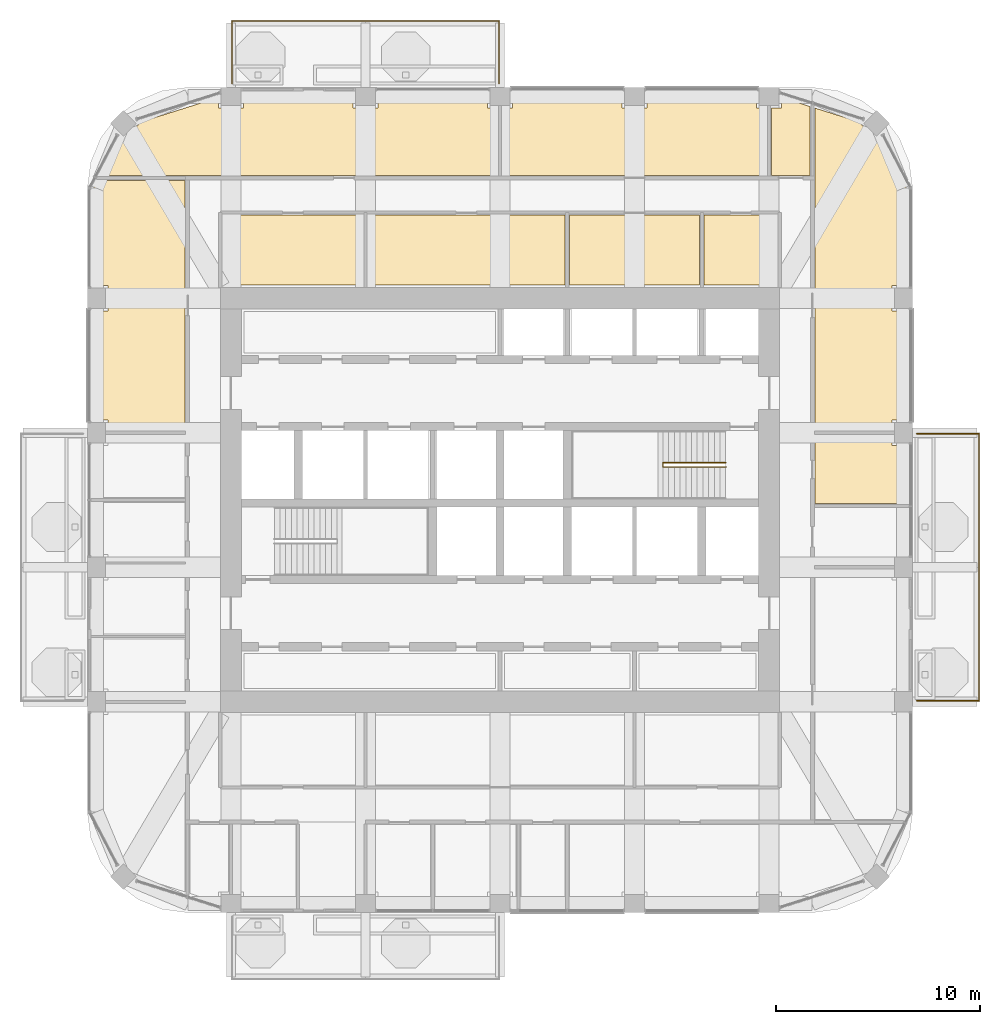
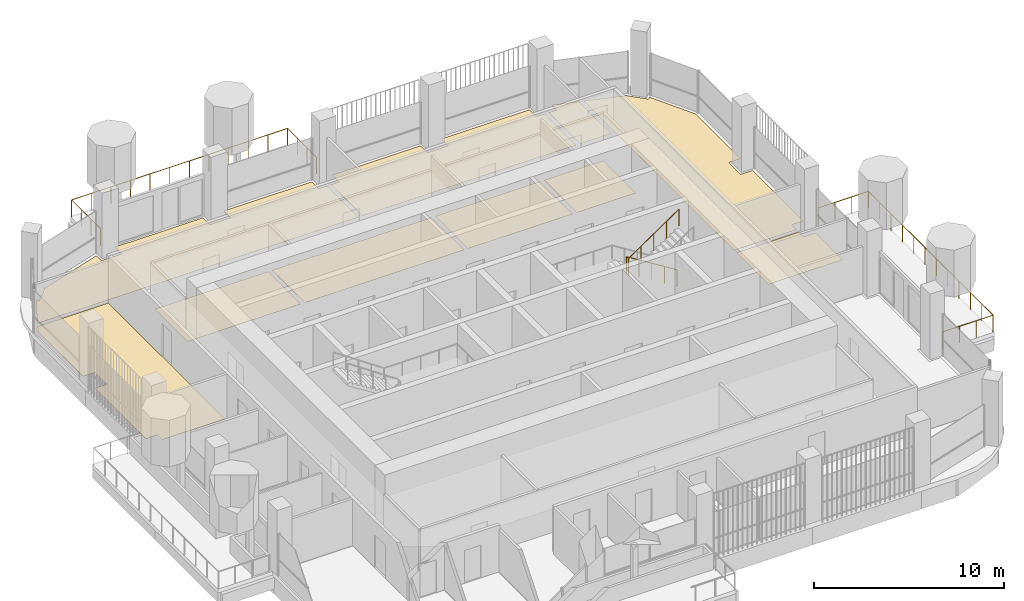
# One storey, part 18 of 19: 10 coverings, 3 railings.
"""IFC4 building model written with IfcOpenShell, lengths in metres."""

from ifc_helpers import new_model, si_unit, direction, frame, origin, place, context, subcontext, project, spatial, polyline, outline, extrude, material, layer, layer_set, type_object, element, save


model = new_model("IFC4")

# Units and contexts
model_context = context("Model", 3, precision=1e-05, world=origin(), true_north=direction((0.0, 1.0)))
body_context = subcontext(model_context, "Body", "Model", "MODEL_VIEW")
ifc_project = project(units=[si_unit("LENGTHUNIT", "METRE"), si_unit("AREAUNIT", "SQUARE_METRE"), si_unit("VOLUMEUNIT", "CUBIC_METRE"), si_unit("PLANEANGLEUNIT", "RADIAN"), si_unit("MASSUNIT", "GRAM", prefix="KILO")], contexts=[model_context])

# Site, building, storey
site_placement = place(None, origin())
site = spatial("IfcSite", under=ifc_project, at=site_placement, CompositionType="ELEMENT")
building_placement = place(site_placement, origin())
building = spatial("IfcBuilding", under=site, at=building_placement, Name="Cobogo Forest Laboratory Tower", CompositionType="ELEMENT")
storey_placement = place(building_placement, frame((0.0, 0.0, 262.800048828125)))
storey = spatial("IfcBuildingStorey", under=building, at=storey_placement, Name="L60", CompositionType="ELEMENT", Elevation=262.800048828125)

# Railings
ifc_material_1 = material(Name="Laminated glass balustrade", Category="glass")
railing_type_1 = type_object("IfcRailingType", Name="BG1 glass balustrade 1100", PredefinedType="GUARDRAIL", material=ifc_material_1)
railing_1_placement = place(storey_placement, frame((46.85009765625, 13.25, 0.0)))
element("IfcRailing", 1, at=railing_1_placement, inside=storey, type_object=railing_type_1, Name="Balcony balustrade BAL-E1 L60", PredefinedType="GUARDRAIL", context=body_context, shape_type="SweptSolid", body=[
    extrude(outline(polyline([(0.022216796875, 0.00927734375), (0.00927734375, 0.022216796875), (-0.00927734375, 0.022216796875), (-0.022216796875, 0.00927734375), (-0.022216796875, -0.00927734375), (-0.00927734375, -0.022216796875), (0.00927734375, -0.022216796875), (0.022216796875, -0.00927734375), (0.022216796875, 0.00927734375)])), frame((0.0, 0.0, 1.077880859375), z_axis=(1.0, 0.0, 0.0), x_axis=(0.0, 1.0, 0.0)), (0.0, 0.0, 1.0), 3.0498046875),
    extrude(outline(polyline([(0.022216796875, 0.00927734375), (0.00927734375, 0.022216796875), (-0.00927734375, 0.022216796875), (-0.022216796875, 0.00927734375), (-0.022216796875, -0.00927734375), (-0.00927734375, -0.022216796875), (0.00927734375, -0.022216796875), (0.022216796875, -0.00927734375), (0.022216796875, 0.00927734375)])), frame((3.0498046875, 0.0, 1.077880859375), z_axis=(0.0, 1.0, 0.0), x_axis=(-1.0, 0.0, 0.0)), (0.0, 0.0, 1.0), 13.10009765625),
    extrude(outline(polyline([(0.022216796875, 0.00927734375), (0.00927734375, 0.022216796875), (-0.00927734375, 0.022216796875), (-0.022216796875, 0.00927734375), (-0.022216796875, -0.00927734375), (-0.00927734375, -0.022216796875), (0.00927734375, -0.022216796875), (0.022216796875, -0.00927734375), (0.022216796875, 0.00927734375)])), frame((3.0498046875, 13.10009765625, 1.077880859375), z_axis=(-1.0, 0.0, 0.0), x_axis=(0.0, -1.0, 0.0)), (0.0, 0.0, 1.0), 3.0498046875),
    extrude(outline(polyline([(0.019287109375, 0.008056640625), (0.008056640625, 0.019287109375), (-0.008056640625, 0.019287109375), (-0.019287109375, 0.008056640625), (-0.019287109375, -0.008056640625), (-0.008056640625, -0.019287109375), (0.008056640625, -0.019287109375), (0.019287109375, -0.008056640625), (0.019287109375, 0.008056640625)])), origin(), (0.0, 0.0, 1.0), 1.077880859375),
    extrude(outline(polyline([(0.019287109375, 0.008056640625), (0.008056640625, 0.019287109375), (-0.008056640625, 0.019287109375), (-0.019287109375, 0.008056640625), (-0.019287109375, -0.008056640625), (-0.008056640625, -0.019287109375), (0.008056640625, -0.019287109375), (0.019287109375, -0.008056640625), (0.019287109375, 0.008056640625)])), frame((1.0166015625, 0.0, 0.0)), (0.0, 0.0, 1.0), 1.077880859375),
    extrude(outline(polyline([(0.019287109375, 0.008056640625), (0.008056640625, 0.019287109375), (-0.008056640625, 0.019287109375), (-0.019287109375, 0.008056640625), (-0.019287109375, -0.008056640625), (-0.008056640625, -0.019287109375), (0.008056640625, -0.019287109375), (0.019287109375, -0.008056640625), (0.019287109375, 0.008056640625)])), frame((2.033203125, 0.0, 0.0)), (0.0, 0.0, 1.0), 1.077880859375),
    extrude(outline(polyline([(0.019287109375, 0.008056640625), (0.008056640625, 0.019287109375), (-0.008056640625, 0.019287109375), (-0.019287109375, 0.008056640625), (-0.019287109375, -0.008056640625), (-0.008056640625, -0.019287109375), (0.008056640625, -0.019287109375), (0.019287109375, -0.008056640625), (0.019287109375, 0.008056640625)])), frame((3.0498046875, 0.0, 0.0)), (0.0, 0.0, 1.0), 1.077880859375),
    extrude(outline(polyline([(0.019287109375, 0.008056640625), (0.008056640625, 0.019287109375), (-0.008056640625, 0.019287109375), (-0.019287109375, 0.008056640625), (-0.019287109375, -0.008056640625), (-0.008056640625, -0.019287109375), (0.008056640625, -0.019287109375), (0.019287109375, -0.008056640625), (0.019287109375, 0.008056640625)])), frame((3.0498046875, 1.19091796875, 0.0)), (0.0, 0.0, 1.0), 1.077880859375),
    extrude(outline(polyline([(0.019287109375, 0.008056640625), (0.008056640625, 0.019287109375), (-0.008056640625, 0.019287109375), (-0.019287109375, 0.008056640625), (-0.019287109375, -0.008056640625), (-0.008056640625, -0.019287109375), (0.008056640625, -0.019287109375), (0.019287109375, -0.008056640625), (0.019287109375, 0.008056640625)])), frame((3.0498046875, 2.3818359375, 0.0)), (0.0, 0.0, 1.0), 1.077880859375),
    extrude(outline(polyline([(0.019287109375, 0.008056640625), (0.008056640625, 0.019287109375), (-0.008056640625, 0.019287109375), (-0.019287109375, 0.008056640625), (-0.019287109375, -0.008056640625), (-0.008056640625, -0.019287109375), (0.008056640625, -0.019287109375), (0.019287109375, -0.008056640625), (0.019287109375, 0.008056640625)])), frame((3.0498046875, 3.57275390625, 0.0)), (0.0, 0.0, 1.0), 1.077880859375),
    extrude(outline(polyline([(0.019287109375, 0.008056640625), (0.008056640625, 0.019287109375), (-0.008056640625, 0.019287109375), (-0.019287109375, 0.008056640625), (-0.019287109375, -0.008056640625), (-0.008056640625, -0.019287109375), (0.008056640625, -0.019287109375), (0.019287109375, -0.008056640625), (0.019287109375, 0.008056640625)])), frame((3.0498046875, 4.763671875, 0.0)), (0.0, 0.0, 1.0), 1.077880859375),
    extrude(outline(polyline([(0.019287109375, 0.008056640625), (0.008056640625, 0.019287109375), (-0.008056640625, 0.019287109375), (-0.019287109375, 0.008056640625), (-0.019287109375, -0.008056640625), (-0.008056640625, -0.019287109375), (0.008056640625, -0.019287109375), (0.019287109375, -0.008056640625), (0.019287109375, 0.008056640625)])), frame((3.0498046875, 5.95458984375, 0.0)), (0.0, 0.0, 1.0), 1.077880859375),
    extrude(outline(polyline([(0.019287109375, 0.008056640625), (0.008056640625, 0.019287109375), (-0.008056640625, 0.019287109375), (-0.019287109375, 0.008056640625), (-0.019287109375, -0.008056640625), (-0.008056640625, -0.019287109375), (0.008056640625, -0.019287109375), (0.019287109375, -0.008056640625), (0.019287109375, 0.008056640625)])), frame((3.0498046875, 7.1455078125, 0.0)), (0.0, 0.0, 1.0), 1.077880859375),
    extrude(outline(polyline([(0.019287109375, 0.008056640625), (0.008056640625, 0.019287109375), (-0.008056640625, 0.019287109375), (-0.019287109375, 0.008056640625), (-0.019287109375, -0.008056640625), (-0.008056640625, -0.019287109375), (0.008056640625, -0.019287109375), (0.019287109375, -0.008056640625), (0.019287109375, 0.008056640625)])), frame((3.0498046875, 8.33642578125, 0.0)), (0.0, 0.0, 1.0), 1.077880859375),
    extrude(outline(polyline([(0.019287109375, 0.008056640625), (0.008056640625, 0.019287109375), (-0.008056640625, 0.019287109375), (-0.019287109375, 0.008056640625), (-0.019287109375, -0.008056640625), (-0.008056640625, -0.019287109375), (0.008056640625, -0.019287109375), (0.019287109375, -0.008056640625), (0.019287109375, 0.008056640625)])), frame((3.0498046875, 9.52734375, 0.0)), (0.0, 0.0, 1.0), 1.077880859375),
    extrude(outline(polyline([(0.019287109375, 0.008056640625), (0.008056640625, 0.019287109375), (-0.008056640625, 0.019287109375), (-0.019287109375, 0.008056640625), (-0.019287109375, -0.008056640625), (-0.008056640625, -0.019287109375), (0.008056640625, -0.019287109375), (0.019287109375, -0.008056640625), (0.019287109375, 0.008056640625)])), frame((3.0498046875, 10.71826171875, 0.0)), (0.0, 0.0, 1.0), 1.077880859375),
    extrude(outline(polyline([(0.019287109375, 0.008056640625), (0.008056640625, 0.019287109375), (-0.008056640625, 0.019287109375), (-0.019287109375, 0.008056640625), (-0.019287109375, -0.008056640625), (-0.008056640625, -0.019287109375), (0.008056640625, -0.019287109375), (0.019287109375, -0.008056640625), (0.019287109375, 0.008056640625)])), frame((3.0498046875, 11.9091796875, 0.0)), (0.0, 0.0, 1.0), 1.077880859375),
    extrude(outline(polyline([(0.019287109375, 0.008056640625), (0.008056640625, 0.019287109375), (-0.008056640625, 0.019287109375), (-0.019287109375, 0.008056640625), (-0.019287109375, -0.008056640625), (-0.008056640625, -0.019287109375), (0.008056640625, -0.019287109375), (0.019287109375, -0.008056640625), (0.019287109375, 0.008056640625)])), frame((3.0498046875, 13.10009765625, 0.0)), (0.0, 0.0, 1.0), 1.077880859375),
    extrude(outline(polyline([(0.019287109375, 0.008056640625), (0.008056640625, 0.019287109375), (-0.008056640625, 0.019287109375), (-0.019287109375, 0.008056640625), (-0.019287109375, -0.008056640625), (-0.008056640625, -0.019287109375), (0.008056640625, -0.019287109375), (0.019287109375, -0.008056640625), (0.019287109375, 0.008056640625)])), frame((2.033203125, 13.10009765625, 0.0)), (0.0, 0.0, 1.0), 1.077880859375),
    extrude(outline(polyline([(0.019287109375, 0.008056640625), (0.008056640625, 0.019287109375), (-0.008056640625, 0.019287109375), (-0.019287109375, 0.008056640625), (-0.019287109375, -0.008056640625), (-0.008056640625, -0.019287109375), (0.008056640625, -0.019287109375), (0.019287109375, -0.008056640625), (0.019287109375, 0.008056640625)])), frame((1.0166015625, 13.10009765625, 0.0)), (0.0, 0.0, 1.0), 1.077880859375),
    extrude(outline(polyline([(0.019287109375, 0.008056640625), (0.008056640625, 0.019287109375), (-0.008056640625, 0.019287109375), (-0.019287109375, 0.008056640625), (-0.019287109375, -0.008056640625), (-0.008056640625, -0.019287109375), (0.008056640625, -0.019287109375), (0.019287109375, -0.008056640625), (0.019287109375, 0.008056640625)])), frame((0.0, 13.10009765625, 0.0)), (0.0, 0.0, 1.0), 1.077880859375),
])
railing_2_placement = place(storey_placement, frame((13.25, 43.550048828125, 0.0)))
element("IfcRailing", 2, at=railing_2_placement, inside=storey, type_object=railing_type_1, Name="Balcony balustrade BAL-N1 L60", PredefinedType="GUARDRAIL", context=body_context, shape_type="SweptSolid", body=[
    extrude(outline(polyline([(0.022216796875, 0.00927734375), (0.00927734375, 0.022216796875), (-0.00927734375, 0.022216796875), (-0.022216796875, 0.00927734375), (-0.022216796875, -0.00927734375), (-0.00927734375, -0.022216796875), (0.00927734375, -0.022216796875), (0.022216796875, -0.00927734375), (0.022216796875, 0.00927734375)])), frame((0.0, 0.0, 1.077880859375), z_axis=(0.0, 1.0, 0.0), x_axis=(-1.0, 0.0, 0.0)), (0.0, 0.0, 1.0), 3.050048828125),
    extrude(outline(polyline([(0.022216796875, 0.00927734375), (0.00927734375, 0.022216796875), (-0.00927734375, 0.022216796875), (-0.022216796875, 0.00927734375), (-0.022216796875, -0.00927734375), (-0.00927734375, -0.022216796875), (0.00927734375, -0.022216796875), (0.022216796875, -0.00927734375), (0.022216796875, 0.00927734375)])), frame((0.0, 3.050048828125, 1.077880859375), z_axis=(1.0, 0.0, 0.0), x_axis=(0.0, 1.0, 0.0)), (0.0, 0.0, 1.0), 13.10009765625),
    extrude(outline(polyline([(0.022216796875, 0.00927734375), (0.00927734375, 0.022216796875), (-0.00927734375, 0.022216796875), (-0.022216796875, 0.00927734375), (-0.022216796875, -0.00927734375), (-0.00927734375, -0.022216796875), (0.00927734375, -0.022216796875), (0.022216796875, -0.00927734375), (0.022216796875, 0.00927734375)])), frame((13.10009765625, 3.050048828125, 1.077880859375), z_axis=(0.0, -1.0, 0.0), x_axis=(1.0, 0.0, 0.0)), (0.0, 0.0, 1.0), 3.050048828125),
    extrude(outline(polyline([(0.019287109375, 0.008056640625), (0.008056640625, 0.019287109375), (-0.008056640625, 0.019287109375), (-0.019287109375, 0.008056640625), (-0.019287109375, -0.008056640625), (-0.008056640625, -0.019287109375), (0.008056640625, -0.019287109375), (0.019287109375, -0.008056640625), (0.019287109375, 0.008056640625)])), origin(), (0.0, 0.0, 1.0), 1.077880859375),
    extrude(outline(polyline([(0.019287109375, 0.008056640625), (0.008056640625, 0.019287109375), (-0.008056640625, 0.019287109375), (-0.019287109375, 0.008056640625), (-0.019287109375, -0.008056640625), (-0.008056640625, -0.019287109375), (0.008056640625, -0.019287109375), (0.019287109375, -0.008056640625), (0.019287109375, 0.008056640625)])), frame((0.0, 1.0166015625, 0.0)), (0.0, 0.0, 1.0), 1.077880859375),
    extrude(outline(polyline([(0.019287109375, 0.008056640625), (0.008056640625, 0.019287109375), (-0.008056640625, 0.019287109375), (-0.019287109375, 0.008056640625), (-0.019287109375, -0.008056640625), (-0.008056640625, -0.019287109375), (0.008056640625, -0.019287109375), (0.019287109375, -0.008056640625), (0.019287109375, 0.008056640625)])), frame((0.0, 2.033447265625, 0.0)), (0.0, 0.0, 1.0), 1.077880859375),
    extrude(outline(polyline([(0.019287109375, 0.008056640625), (0.008056640625, 0.019287109375), (-0.008056640625, 0.019287109375), (-0.019287109375, 0.008056640625), (-0.019287109375, -0.008056640625), (-0.008056640625, -0.019287109375), (0.008056640625, -0.019287109375), (0.019287109375, -0.008056640625), (0.019287109375, 0.008056640625)])), frame((0.0, 3.050048828125, 0.0)), (0.0, 0.0, 1.0), 1.077880859375),
    extrude(outline(polyline([(0.019287109375, 0.008056640625), (0.008056640625, 0.019287109375), (-0.008056640625, 0.019287109375), (-0.019287109375, 0.008056640625), (-0.019287109375, -0.008056640625), (-0.008056640625, -0.019287109375), (0.008056640625, -0.019287109375), (0.019287109375, -0.008056640625), (0.019287109375, 0.008056640625)])), frame((1.19091796875, 3.050048828125, 0.0)), (0.0, 0.0, 1.0), 1.077880859375),
    extrude(outline(polyline([(0.019287109375, 0.008056640625), (0.008056640625, 0.019287109375), (-0.008056640625, 0.019287109375), (-0.019287109375, 0.008056640625), (-0.019287109375, -0.008056640625), (-0.008056640625, -0.019287109375), (0.008056640625, -0.019287109375), (0.019287109375, -0.008056640625), (0.019287109375, 0.008056640625)])), frame((2.3818359375, 3.050048828125, 0.0)), (0.0, 0.0, 1.0), 1.077880859375),
    extrude(outline(polyline([(0.019287109375, 0.008056640625), (0.008056640625, 0.019287109375), (-0.008056640625, 0.019287109375), (-0.019287109375, 0.008056640625), (-0.019287109375, -0.008056640625), (-0.008056640625, -0.019287109375), (0.008056640625, -0.019287109375), (0.019287109375, -0.008056640625), (0.019287109375, 0.008056640625)])), frame((3.57275390625, 3.050048828125, 0.0)), (0.0, 0.0, 1.0), 1.077880859375),
    extrude(outline(polyline([(0.019287109375, 0.008056640625), (0.008056640625, 0.019287109375), (-0.008056640625, 0.019287109375), (-0.019287109375, 0.008056640625), (-0.019287109375, -0.008056640625), (-0.008056640625, -0.019287109375), (0.008056640625, -0.019287109375), (0.019287109375, -0.008056640625), (0.019287109375, 0.008056640625)])), frame((4.763671875, 3.050048828125, 0.0)), (0.0, 0.0, 1.0), 1.077880859375),
    extrude(outline(polyline([(0.019287109375, 0.008056640625), (0.008056640625, 0.019287109375), (-0.008056640625, 0.019287109375), (-0.019287109375, 0.008056640625), (-0.019287109375, -0.008056640625), (-0.008056640625, -0.019287109375), (0.008056640625, -0.019287109375), (0.019287109375, -0.008056640625), (0.019287109375, 0.008056640625)])), frame((5.95458984375, 3.050048828125, 0.0)), (0.0, 0.0, 1.0), 1.077880859375),
    extrude(outline(polyline([(0.019287109375, 0.008056640625), (0.008056640625, 0.019287109375), (-0.008056640625, 0.019287109375), (-0.019287109375, 0.008056640625), (-0.019287109375, -0.008056640625), (-0.008056640625, -0.019287109375), (0.008056640625, -0.019287109375), (0.019287109375, -0.008056640625), (0.019287109375, 0.008056640625)])), frame((7.1455078125, 3.050048828125, 0.0)), (0.0, 0.0, 1.0), 1.077880859375),
    extrude(outline(polyline([(0.019287109375, 0.008056640625), (0.008056640625, 0.019287109375), (-0.008056640625, 0.019287109375), (-0.019287109375, 0.008056640625), (-0.019287109375, -0.008056640625), (-0.008056640625, -0.019287109375), (0.008056640625, -0.019287109375), (0.019287109375, -0.008056640625), (0.019287109375, 0.008056640625)])), frame((8.33642578125, 3.050048828125, 0.0)), (0.0, 0.0, 1.0), 1.077880859375),
    extrude(outline(polyline([(0.019287109375, 0.008056640625), (0.008056640625, 0.019287109375), (-0.008056640625, 0.019287109375), (-0.019287109375, 0.008056640625), (-0.019287109375, -0.008056640625), (-0.008056640625, -0.019287109375), (0.008056640625, -0.019287109375), (0.019287109375, -0.008056640625), (0.019287109375, 0.008056640625)])), frame((9.52734375, 3.050048828125, 0.0)), (0.0, 0.0, 1.0), 1.077880859375),
    extrude(outline(polyline([(0.019287109375, 0.008056640625), (0.008056640625, 0.019287109375), (-0.008056640625, 0.019287109375), (-0.019287109375, 0.008056640625), (-0.019287109375, -0.008056640625), (-0.008056640625, -0.019287109375), (0.008056640625, -0.019287109375), (0.019287109375, -0.008056640625), (0.019287109375, 0.008056640625)])), frame((10.71826171875, 3.050048828125, 0.0)), (0.0, 0.0, 1.0), 1.077880859375),
    extrude(outline(polyline([(0.019287109375, 0.008056640625), (0.008056640625, 0.019287109375), (-0.008056640625, 0.019287109375), (-0.019287109375, 0.008056640625), (-0.019287109375, -0.008056640625), (-0.008056640625, -0.019287109375), (0.008056640625, -0.019287109375), (0.019287109375, -0.008056640625), (0.019287109375, 0.008056640625)])), frame((11.9091796875, 3.050048828125, 0.0)), (0.0, 0.0, 1.0), 1.077880859375),
    extrude(outline(polyline([(0.019287109375, 0.008056640625), (0.008056640625, 0.019287109375), (-0.008056640625, 0.019287109375), (-0.019287109375, 0.008056640625), (-0.019287109375, -0.008056640625), (-0.008056640625, -0.019287109375), (0.008056640625, -0.019287109375), (0.019287109375, -0.008056640625), (0.019287109375, 0.008056640625)])), frame((13.10009765625, 3.050048828125, 0.0)), (0.0, 0.0, 1.0), 1.077880859375),
    extrude(outline(polyline([(0.019287109375, 0.008056640625), (0.008056640625, 0.019287109375), (-0.008056640625, 0.019287109375), (-0.019287109375, 0.008056640625), (-0.019287109375, -0.008056640625), (-0.008056640625, -0.019287109375), (0.008056640625, -0.019287109375), (0.019287109375, -0.008056640625), (0.019287109375, 0.008056640625)])), frame((13.10009765625, 2.033447265625, 0.0)), (0.0, 0.0, 1.0), 1.077880859375),
    extrude(outline(polyline([(0.019287109375, 0.008056640625), (0.008056640625, 0.019287109375), (-0.008056640625, 0.019287109375), (-0.019287109375, 0.008056640625), (-0.019287109375, -0.008056640625), (-0.008056640625, -0.019287109375), (0.008056640625, -0.019287109375), (0.019287109375, -0.008056640625), (0.019287109375, 0.008056640625)])), frame((13.10009765625, 1.0166015625, 0.0)), (0.0, 0.0, 1.0), 1.077880859375),
    extrude(outline(polyline([(0.019287109375, 0.008056640625), (0.008056640625, 0.019287109375), (-0.008056640625, 0.019287109375), (-0.019287109375, 0.008056640625), (-0.019287109375, -0.008056640625), (-0.008056640625, -0.019287109375), (0.008056640625, -0.019287109375), (0.019287109375, -0.008056640625), (0.019287109375, 0.008056640625)])), frame((13.10009765625, 0.0, 0.0)), (0.0, 0.0, 1.0), 1.077880859375),
])

# Coverings
ifc_material_2 = material(Name="Carpet tile on raised access floor", Category="flooring")
ifc_layer_1 = layer(ifc_material_2, 0.008056640625)
ifc_layer_set_1 = layer_set([ifc_layer_1], Name="CT1 carpet tile floor 8")
covering_type_1 = type_object("IfcCoveringType", Name="CT1 carpet tile floor 8", PredefinedType="FLOORING", material=ifc_layer_set_1)
covering_1_placement = place(storey_placement, origin())
element("IfcCovering", 3, at=covering_1_placement, inside=storey, type_object=covering_type_1, Name="Carpet floor L60-01", PredefinedType="FLOORING", context=body_context, shape_type="SweptSolid", body=[
    extrude(outline(polyline([(19.679931640625, 33.64501953125), (12.794921875, 33.64501953125), (12.794921875, 37.080078125), (19.679931640625, 37.080078125), (19.679931640625, 33.64501953125)])), origin(), (0.0, 0.0, 1.0), 0.008056640625),
])
covering_2_placement = place(storey_placement, origin())
element("IfcCovering", 4, at=covering_2_placement, inside=storey, type_object=covering_type_1, Name="Carpet floor L60-02", PredefinedType="FLOORING", context=body_context, shape_type="SweptSolid", body=[
    extrude(outline(polyline([(29.580078125, 33.64501953125), (19.919921875, 33.64501953125), (19.919921875, 37.080078125), (29.580078125, 37.080078125), (29.580078125, 33.64501953125)])), origin(), (0.0, 0.0, 1.0), 0.008056640625),
])
covering_3_placement = place(storey_placement, origin())
element("IfcCovering", 5, at=covering_3_placement, inside=storey, type_object=covering_type_1, Name="Carpet floor L60-03", PredefinedType="FLOORING", context=body_context, shape_type="SweptSolid", body=[
    extrude(outline(polyline([(36.179931640625, 33.64501953125), (29.820068359375, 33.64501953125), (29.820068359375, 37.080078125), (36.179931640625, 37.080078125), (36.179931640625, 33.64501953125)])), origin(), (0.0, 0.0, 1.0), 0.008056640625),
])
covering_4_placement = place(storey_placement, origin())
element("IfcCovering", 6, at=covering_4_placement, inside=storey, type_object=covering_type_1, Name="Carpet floor L60-04", PredefinedType="FLOORING", context=body_context, shape_type="SweptSolid", body=[
    extrude(outline(polyline([(40.0048828125, 33.64501953125), (36.419921875, 33.64501953125), (36.419921875, 37.080078125), (40.0048828125, 37.080078125), (40.0048828125, 33.64501953125)])), origin(), (0.0, 0.0, 1.0), 0.008056640625),
])
covering_5_placement = place(storey_placement, origin())
element("IfcCovering", 7, at=covering_5_placement, inside=storey, type_object=covering_type_1, Name="Carpet floor L60-18", PredefinedType="FLOORING", context=body_context, shape_type="SweptSolid", body=[
    extrude(outline(polyline([(6.80078125, 39.02001953125), (7.788818359375, 40.905029296875), (7.91796875, 40.77587890625), (8.72412109375, 41.58203125), (8.68994140625, 41.615966796875), (12.580078125, 42.844482421875), (12.580078125, 42.330078125), (13.820068359375, 42.330078125), (13.820068359375, 43.050048828125), (19.179931640625, 43.050048828125), (19.179931640625, 42.330078125), (20.419921875, 42.330078125), (20.419921875, 43.050048828125), (25.780029296875, 43.050048828125), (25.780029296875, 42.330078125), (26.280029296875, 42.330078125), (26.280029296875, 39.02001953125), (6.80078125, 39.02001953125)])), origin(), (0.0, 0.0, 1.0), 0.008056640625),
])
covering_6_placement = place(storey_placement, origin())
element("IfcCovering", 8, at=covering_6_placement, inside=storey, type_object=covering_type_1, Name="Carpet floor L60-19", PredefinedType="FLOORING", context=body_context, shape_type="SweptSolid", body=[
    extrude(outline(polyline([(26.52001953125, 39.02001953125), (26.52001953125, 42.330078125), (27.02001953125, 42.330078125), (27.02001953125, 43.050048828125), (32.3798828125, 43.050048828125), (32.3798828125, 42.330078125), (33.6201171875, 42.330078125), (33.6201171875, 43.050048828125), (38.97998046875, 43.050048828125), (38.97998046875, 42.330078125), (39.47998046875, 42.330078125), (39.47998046875, 39.02001953125), (26.52001953125, 39.02001953125)])), origin(), (0.0, 0.0, 1.0), 0.008056640625),
])
covering_7_placement = place(storey_placement, origin())
element("IfcCovering", 9, at=covering_7_placement, inside=storey, type_object=covering_type_1, Name="Carpet floor L60-26", PredefinedType="FLOORING", context=body_context, shape_type="SweptSolid", body=[
    extrude(outline(polyline([(10.955078125, 26.52001953125), (7.169921875, 26.52001953125), (7.169921875, 27.02001953125), (6.449951171875, 27.02001953125), (6.449951171875, 32.3798828125), (7.169921875, 32.3798828125), (7.169921875, 33.6201171875), (6.449951171875, 33.6201171875), (6.449951171875, 38.350830078125), (6.675048828125, 38.780029296875), (10.955078125, 38.780029296875), (10.955078125, 26.52001953125)])), origin(), (0.0, 0.0, 1.0), 0.008056640625),
])

# Railing
ifc_material_3 = material(Name="Steel balustrade", Category="steel")
railing_type_2 = type_object("IfcRailingType", Name="GR stair guard 1100", PredefinedType="GUARDRAIL", material=ifc_material_3)
railing_3_placement = place(storey_placement, frame((37.47509765625, 24.929931640625, 0.175048828125)))
element("IfcRailing", 10, at=railing_3_placement, inside=storey, type_object=railing_type_2, Name="Stair guard ST2 L60", PredefinedType="GUARDRAIL", context=body_context, shape_type="SweptSolid", body=[
    extrude(outline(polyline([(0.022216796875, 0.00927734375), (0.00927734375, 0.022216796875), (-0.00927734375, 0.022216796875), (-0.022216796875, 0.00927734375), (-0.022216796875, -0.00927734375), (-0.00927734375, -0.022216796875), (0.00927734375, -0.022216796875), (0.022216796875, -0.00927734375), (0.022216796875, 0.00927734375)])), frame((0.0, 0.0, 1.077880859375), z_axis=(-0.848028513186, 0.0, 0.529950602248), x_axis=(0.0, -1.0, 0.0)), (0.0, 0.0, 1.0), 3.632080078125),
    extrude(outline(polyline([(0.022216796875, 0.00927734375), (0.00927734375, 0.022216796875), (-0.00927734375, 0.022216796875), (-0.022216796875, 0.00927734375), (-0.022216796875, -0.00927734375), (-0.00927734375, -0.022216796875), (0.00927734375, -0.022216796875), (0.022216796875, -0.00927734375), (0.022216796875, 0.00927734375)])), frame((-3.080078125, 0.0, 3.002685546875), z_axis=(0.0, -1.0, 0.0), x_axis=(1.0, 0.0, 0.0)), (0.0, 0.0, 1.0), 0.2099609375),
    extrude(outline(polyline([(0.022216796875, 0.00927734375), (0.00927734375, 0.022216796875), (-0.00927734375, 0.022216796875), (-0.022216796875, 0.00927734375), (-0.022216796875, -0.00927734375), (-0.00927734375, -0.022216796875), (0.00927734375, -0.022216796875), (0.022216796875, -0.00927734375), (0.022216796875, 0.00927734375)])), frame((-3.080078125, -0.2099609375, 3.002685546875), z_axis=(0.826221800596, 0.0, 0.563344953133), x_axis=(0.0, 1.0, 0.0)), (0.0, 0.0, 1.0), 3.72802734375),
    extrude(outline(polyline([(0.019287109375, 0.008056640625), (0.008056640625, 0.019287109375), (-0.008056640625, 0.019287109375), (-0.019287109375, 0.008056640625), (-0.019287109375, -0.008056640625), (-0.008056640625, -0.019287109375), (0.008056640625, -0.019287109375), (0.019287109375, -0.008056640625), (0.019287109375, 0.008056640625)])), origin(), (0.0, 0.0, 1.0), 1.077880859375),
    extrude(outline(polyline([(0.019287109375, 0.008056640625), (0.008056640625, 0.019287109375), (-0.008056640625, 0.019287109375), (-0.019287109375, 0.008056640625), (-0.019287109375, -0.008056640625), (-0.008056640625, -0.019287109375), (0.008056640625, -0.019287109375), (0.019287109375, -0.008056640625), (0.019287109375, 0.008056640625)])), frame((-0.77001953125, 0.0, 0.481201171875)), (0.0, 0.0, 1.0), 1.077880859375),
    extrude(outline(polyline([(0.019287109375, 0.008056640625), (0.008056640625, 0.019287109375), (-0.008056640625, 0.019287109375), (-0.019287109375, 0.008056640625), (-0.019287109375, -0.008056640625), (-0.008056640625, -0.019287109375), (0.008056640625, -0.019287109375), (0.019287109375, -0.008056640625), (0.019287109375, 0.008056640625)])), frame((-1.5400390625, 0.0, 0.96240234375)), (0.0, 0.0, 1.0), 1.077880859375),
    extrude(outline(polyline([(0.019287109375, 0.008056640625), (0.008056640625, 0.019287109375), (-0.008056640625, 0.019287109375), (-0.019287109375, 0.008056640625), (-0.019287109375, -0.008056640625), (-0.008056640625, -0.019287109375), (0.008056640625, -0.019287109375), (0.019287109375, -0.008056640625), (0.019287109375, 0.008056640625)])), frame((-2.31005859375, 0.0, 1.443603515625)), (0.0, 0.0, 1.0), 1.077880859375),
    extrude(outline(polyline([(0.019287109375, 0.008056640625), (0.008056640625, 0.019287109375), (-0.008056640625, 0.019287109375), (-0.019287109375, 0.008056640625), (-0.019287109375, -0.008056640625), (-0.008056640625, -0.019287109375), (0.008056640625, -0.019287109375), (0.019287109375, -0.008056640625), (0.019287109375, 0.008056640625)])), frame((-3.080078125, 0.0, 1.9248046875)), (0.0, 0.0, 1.0), 1.077880859375),
    extrude(outline(polyline([(0.019287109375, 0.008056640625), (0.008056640625, 0.019287109375), (-0.008056640625, 0.019287109375), (-0.019287109375, 0.008056640625), (-0.019287109375, -0.008056640625), (-0.008056640625, -0.019287109375), (0.008056640625, -0.019287109375), (0.019287109375, -0.008056640625), (0.019287109375, 0.008056640625)])), frame((-3.080078125, -0.2099609375, 1.9248046875)), (0.0, 0.0, 1.0), 1.077880859375),
    extrude(outline(polyline([(0.019287109375, 0.008056640625), (0.008056640625, 0.019287109375), (-0.008056640625, 0.019287109375), (-0.019287109375, 0.008056640625), (-0.019287109375, -0.008056640625), (-0.008056640625, -0.019287109375), (0.008056640625, -0.019287109375), (0.019287109375, -0.008056640625), (0.019287109375, 0.008056640625)])), frame((-2.31005859375, -0.2099609375, 2.44970703125)), (0.0, 0.0, 1.0), 1.077880859375),
    extrude(outline(polyline([(0.019287109375, 0.008056640625), (0.008056640625, 0.019287109375), (-0.008056640625, 0.019287109375), (-0.019287109375, 0.008056640625), (-0.019287109375, -0.008056640625), (-0.008056640625, -0.019287109375), (0.008056640625, -0.019287109375), (0.019287109375, -0.008056640625), (0.019287109375, 0.008056640625)])), frame((-1.5400390625, -0.2099609375, 2.974853515625)), (0.0, 0.0, 1.0), 1.077880859375),
    extrude(outline(polyline([(0.019287109375, 0.008056640625), (0.008056640625, 0.019287109375), (-0.008056640625, 0.019287109375), (-0.019287109375, 0.008056640625), (-0.019287109375, -0.008056640625), (-0.008056640625, -0.019287109375), (0.008056640625, -0.019287109375), (0.019287109375, -0.008056640625), (0.019287109375, 0.008056640625)])), frame((-0.77001953125, -0.2099609375, 3.5)), (0.0, 0.0, 1.0), 1.077880859375),
    extrude(outline(polyline([(0.019287109375, 0.008056640625), (0.008056640625, 0.019287109375), (-0.008056640625, 0.019287109375), (-0.019287109375, 0.008056640625), (-0.019287109375, -0.008056640625), (-0.008056640625, -0.019287109375), (0.008056640625, -0.019287109375), (0.019287109375, -0.008056640625), (0.019287109375, 0.008056640625)])), frame((0.0, -0.2099609375, 4.02490234375)), (0.0, 0.0, 1.0), 1.077880859375),
])

# Coverings
ifc_material_4 = material(Name="Epoxy resin flooring", Category="flooring")
ifc_layer_2 = layer(ifc_material_4, 0.00390625)
ifc_layer_set_2 = layer_set([ifc_layer_2], Name="LF1 epoxy laboratory floor 4")
covering_type_2 = type_object("IfcCoveringType", Name="LF1 epoxy laboratory floor 4", PredefinedType="FLOORING", material=ifc_layer_set_2)
covering_8_placement = place(storey_placement, origin())
element("IfcCovering", 11, at=covering_8_placement, inside=storey, type_object=covering_type_2, Name="Epoxy laboratory floor L60-17", PredefinedType="FLOORING", context=body_context, shape_type="SweptSolid", body=[
    extrude(outline(polyline([(41.844970703125, 42.331298828125), (44.10986328125, 41.615966796875), (44.075927734375, 41.58203125), (44.882080078125, 40.77587890625), (45.010986328125, 40.905029296875), (46.35009765625, 38.350830078125), (46.35009765625, 33.6201171875), (45.6298828125, 33.6201171875), (45.6298828125, 32.3798828125), (46.35009765625, 32.3798828125), (46.35009765625, 27.02001953125), (45.6298828125, 27.02001953125), (45.6298828125, 26.52001953125), (41.844970703125, 26.52001953125), (41.844970703125, 42.331298828125)])), origin(), (0.0, 0.0, 1.0), 0.00390625),
])
covering_9_placement = place(storey_placement, origin())
element("IfcCovering", 12, at=covering_9_placement, inside=storey, type_object=covering_type_2, Name="Epoxy laboratory floor L60-20", PredefinedType="FLOORING", context=body_context, shape_type="SweptSolid", body=[
    extrude(outline(polyline([(39.719970703125, 39.02001953125), (39.719970703125, 42.330078125), (40.219970703125, 42.330078125), (40.219970703125, 42.844482421875), (41.60498046875, 42.406982421875), (41.60498046875, 39.02001953125), (39.719970703125, 39.02001953125)])), origin(), (0.0, 0.0, 1.0), 0.00390625),
])
ifc_material_5 = material(Name="Static-dissipative vinyl flooring", Category="flooring")
ifc_layer_3 = layer(ifc_material_5, 0.0029296875)
ifc_layer_set_3 = layer_set([ifc_layer_3], Name="SD1 static-dissipative vinyl floor 3")
covering_type_3 = type_object("IfcCoveringType", Name="SD1 static-dissipative vinyl floor 3", PredefinedType="FLOORING", material=ifc_layer_set_3)
covering_10_placement = place(storey_placement, origin())
element("IfcCovering", 13, at=covering_10_placement, inside=storey, type_object=covering_type_3, Name="Static-dissipative floor L60-16", PredefinedType="FLOORING", context=body_context, shape_type="SweptSolid", body=[
    extrude(outline(polyline([(41.844970703125, 26.280029296875), (45.6298828125, 26.280029296875), (45.6298828125, 25.780029296875), (46.35009765625, 25.780029296875), (46.35009765625, 22.919921875), (41.844970703125, 22.919921875), (41.844970703125, 26.280029296875)])), origin(), (0.0, 0.0, 1.0), 0.0029296875),
])

save(model, "model.ifc")
